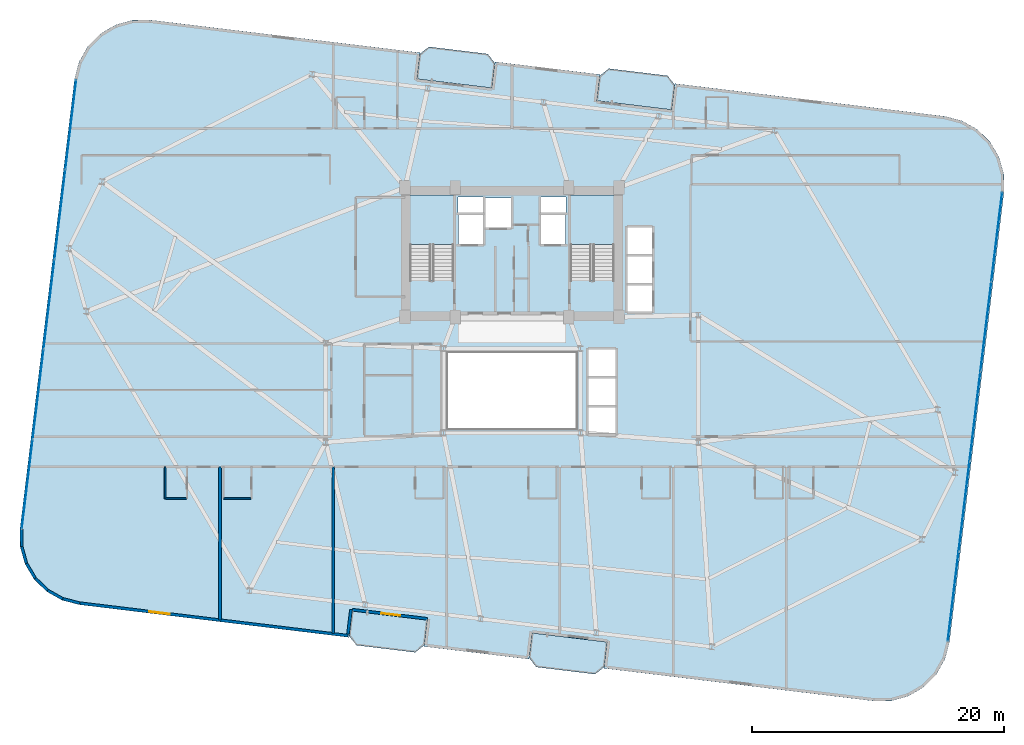
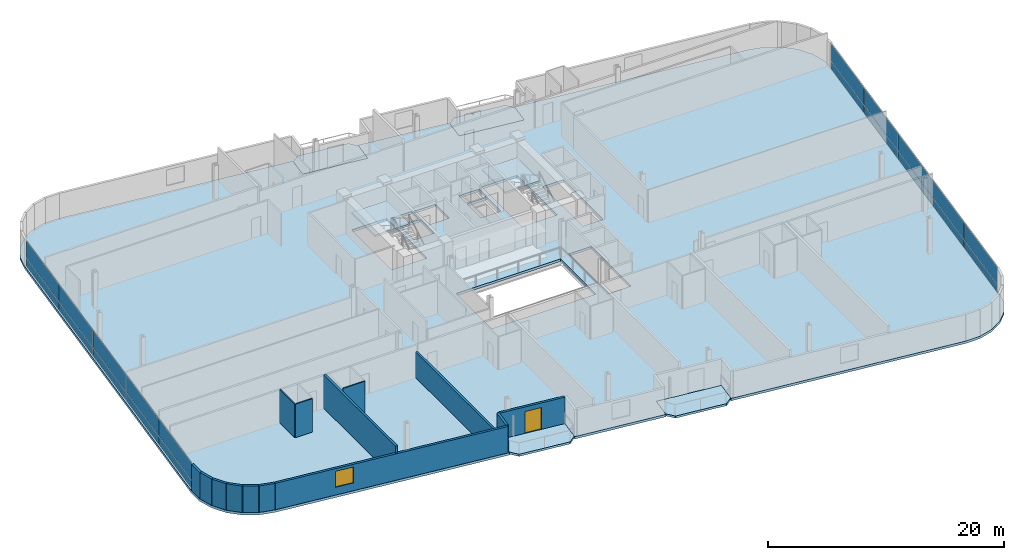
# One storey, part 19 of 26: 20 plates, 14 walls, 7 slabs, 1 door, 1 window, 2 openings, 4 elements without a shape of their own.
"""IFC4 building model written with IfcOpenShell, lengths in metres."""

from ifc_helpers import new_model, si_unit, direction, frame, frame_2d, origin, origin_2d, place, context, subcontext, project, spatial, polyline, rectangle, outline, extrude, source, transform, mapped, material, layer, layer_set, type_object, element, fill, aggregate, save


model = new_model("IFC4")

# Units and contexts
model_context = context("Model", 3, precision=1e-05, world=origin(), true_north=direction((0.0, 1.0)))
body_context = subcontext(model_context, "Body", "Model", "MODEL_VIEW")
ifc_project = project(units=[si_unit("LENGTHUNIT", "METRE"), si_unit("AREAUNIT", "SQUARE_METRE"), si_unit("VOLUMEUNIT", "CUBIC_METRE"), si_unit("PLANEANGLEUNIT", "RADIAN"), si_unit("MASSUNIT", "GRAM", prefix="KILO")], contexts=[model_context])

# Site, building, storey
site_placement = place(None, origin())
site = spatial("IfcSite", under=ifc_project, at=site_placement, CompositionType="ELEMENT")
building_placement = place(site_placement, origin())
building = spatial("IfcBuilding", under=site, at=building_placement, Name="Varnelok Gate Tower", CompositionType="ELEMENT")
storey_placement = place(building_placement, frame((0.0, 0.0, 147.60009765625)))
storey = spatial("IfcBuildingStorey", under=building, at=storey_placement, Name="L37", CompositionType="ELEMENT", Elevation=147.60009765625)

# Slabs
ifc_material_1 = material(Name="Concrete C45/55", Category="concrete")
ifc_layer_1 = layer(ifc_material_1, 0.219970703125)
ifc_layer_set_1 = layer_set([ifc_layer_1], Name="Concrete C45/55")
slab_type_1 = type_object("IfcSlabType", Name="SLB-BALC-220", PredefinedType="FLOOR", material=ifc_layer_set_1)
slab_1_placement = place(storey_placement, frame((0.0, 0.0, -0.22021484375)))
element("IfcSlab", 1, at=slab_1_placement, inside=storey, type_object=slab_type_1, Name="L37 South Hollow Balcony 1", PredefinedType="FLOOR", context=body_context, shape_type="SweptSolid", body=[
    extrude(outline(polyline([(26.27001953125, 3.39697265625), (26.837158203125, 2.67333984375), (31.5029296875, 2.107666015625), (32.2265625, 2.6748046875), (32.46728515625, 4.660400390625), (26.5107421875, 5.38232421875), (26.27001953125, 3.39697265625)])), origin(), (0.0, 0.0, 1.0), 0.22021484375),
])
slab_2_placement = place(storey_placement, frame((0.0, 0.0, -0.22021484375)))
element("IfcSlab", 2, at=slab_2_placement, inside=storey, type_object=slab_type_1, Name="L37 South Hollow Balcony 2", PredefinedType="FLOOR", context=body_context, shape_type="SweptSolid", body=[
    extrude(outline(polyline([(40.5654296875, 1.663818359375), (41.132568359375, 0.9404296875), (45.79833984375, 0.374755859375), (46.521728515625, 0.94189453125), (46.762451171875, 2.92724609375), (40.80615234375, 3.6494140625), (40.5654296875, 1.663818359375)])), origin(), (0.0, 0.0, 1.0), 0.22021484375),
])
slab_3_placement = place(storey_placement, frame((0.0, 0.0, -0.22021484375)))
element("IfcSlab", 3, at=slab_3_placement, inside=storey, type_object=slab_type_1, Name="L37 North Hollow Balcony 1", PredefinedType="FLOOR", context=body_context, shape_type="SweptSolid", body=[
    extrude(outline(polyline([(31.637451171875, 47.672607421875), (37.593994140625, 46.95068359375), (37.834716796875, 48.93603515625), (37.267578125, 49.65966796875), (32.601806640625, 50.22509765625), (31.878173828125, 49.658203125), (31.637451171875, 47.672607421875)])), origin(), (0.0, 0.0, 1.0), 0.22021484375),
])
slab_4_placement = place(storey_placement, frame((0.0, 0.0, -0.22021484375)))
element("IfcSlab", 4, at=slab_4_placement, inside=storey, type_object=slab_type_1, Name="L37 North Hollow Balcony 2", PredefinedType="FLOOR", context=body_context, shape_type="SweptSolid", body=[
    extrude(outline(polyline([(45.932861328125, 45.939697265625), (51.88916015625, 45.2177734375), (52.1298828125, 47.203125), (51.562744140625, 47.926513671875), (46.89697265625, 48.4921875), (46.173583984375, 47.92529296875), (45.932861328125, 45.939697265625)])), origin(), (0.0, 0.0, 1.0), 0.22021484375),
])

# Stair, slab
ifc_material_2 = material(Name="Concrete C50/60", Category="concrete")
stair_type = type_object("IfcStairType", Name="STR-CORE-1650", PredefinedType="HALF_TURN_STAIR", material=ifc_material_2)
stair_1_placement = place(storey_placement, origin())
stair_1 = element("IfcStair", 5, at=stair_1_placement, inside=storey, type_object=stair_type, Name="L37 Exit Stair ST-1", PredefinedType="HALF_TURN_STAIR")
ifc_layer_2 = layer(ifc_material_1, 0.199951171875)
ifc_layer_set_2 = layer_set([ifc_layer_2], Name="Concrete C45/55")
slab_type_2 = type_object("IfcSlabType", Name="SLB-LAND-200", PredefinedType="LANDING", material=ifc_layer_set_2)
slab_5_placement = place(storey_placement, frame((0.0, 0.0, 1.64990234375)))
slab_5 = element("IfcSlab", 6, at=slab_5_placement, type_object=slab_type_2, Name="ST-1 landing 1", PredefinedType="LANDING", context=body_context, shape_type="SweptSolid", body=[
    extrude(outline(polyline([(34.550048828125, 34.5), (34.550048828125, 38.449951171875), (31.10009765625, 38.449951171875), (31.10009765625, 34.5), (34.550048828125, 34.5)])), origin(), (0.0, 0.0, 1.0), 0.199951171875),
])
aggregate(stair_1, [slab_5])

stair_2_placement = place(storey_placement, origin())
stair_2 = element("IfcStair", 7, at=stair_2_placement, inside=storey, type_object=stair_type, Name="L37 Exit Stair ST-2", PredefinedType="HALF_TURN_STAIR")
slab_6_placement = place(storey_placement, frame((0.0, 0.0, 1.64990234375)))
slab_6 = element("IfcSlab", 8, at=slab_6_placement, type_object=slab_type_2, Name="ST-2 landing 1", PredefinedType="LANDING", context=body_context, shape_type="SweptSolid", body=[
    extrude(outline(polyline([(47.300048828125, 34.5), (47.300048828125, 38.449951171875), (43.85009765625, 38.449951171875), (43.85009765625, 34.5), (47.300048828125, 34.5)])), origin(), (0.0, 0.0, 1.0), 0.199951171875),
])
aggregate(stair_2, [slab_6])

# Slab
ifc_layer_3 = layer(ifc_material_2, 0.25)
ifc_layer_set_3 = layer_set([ifc_layer_3], Name="Concrete C50/60")
slab_type_3 = type_object("IfcSlabType", Name="SLB-TYP-250", PredefinedType="FLOOR", material=ifc_layer_set_3)
slab_7_placement = place(storey_placement, frame((0.0, 0.0, -0.25)))
element("IfcSlab", 9, at=slab_7_placement, inside=storey, type_object=slab_type_3, Name="L37 Structural Floor Slab", PredefinedType="FLOOR", context=body_context, shape_type="SweptSolid", body=[
    extrude(outline(polyline([(0.104248046875, 11.90771484375), (0.11865234375, 10.498046875), (0.49755859375, 9.14013671875), (1.214599609375, 7.9267578125), (2.2216796875, 6.940185546875), (3.44970703125, 6.247802734375), (4.81494140625, 5.89697265625), (16.529296875, 4.47705078125), (26.258056640625, 3.297607421875), (26.5107421875, 5.38232421875), (32.46728515625, 4.660400390625), (32.214599609375, 2.575439453125), (40.553466796875, 1.564697265625), (40.80615234375, 3.6494140625), (46.762451171875, 2.92724609375), (46.509765625, 0.842529296875), (56.238525390625, -0.3369140625), (67.952880859375, -1.7568359375), (69.3623046875, -1.742431640625), (70.72021484375, -1.363525390625), (71.933837890625, -0.646240234375), (72.92041015625, 0.360595703125), (73.612548828125, 1.588623046875), (73.96337890625, 2.9541015625), (78.2958984375, 38.6923828125), (78.281494140625, 40.101806640625), (77.902587890625, 41.459716796875), (77.185302734375, 42.67333984375), (76.17822265625, 43.659912109375), (74.9501953125, 44.35205078125), (73.5849609375, 44.702880859375), (61.87060546875, 46.123046875), (52.141845703125, 47.302490234375), (51.88916015625, 45.2177734375), (45.932861328125, 45.939697265625), (46.185546875, 48.0244140625), (37.8466796875, 49.035400390625), (37.593994140625, 46.95068359375), (31.637451171875, 47.672607421875), (31.89013671875, 49.75732421875), (22.161376953125, 50.936767578125), (10.447265625, 52.35693359375), (9.03759765625, 52.34228515625), (7.6796875, 51.963623046875), (6.46630859375, 51.246337890625), (5.479736328125, 50.2392578125), (4.787353515625, 49.01123046875), (4.4365234375, 47.64599609375), (0.104248046875, 11.90771484375)]), holes=[polyline([(34.550048828125, 31.679931640625), (34.550048828125, 38.449951171875), (31.10009765625, 38.449951171875), (31.10009765625, 31.679931640625), (34.550048828125, 31.679931640625)]), polyline([(47.300048828125, 31.679931640625), (47.300048828125, 38.449951171875), (43.85009765625, 38.449951171875), (43.85009765625, 31.679931640625), (47.300048828125, 31.679931640625)]), polyline([(34.949951171875, 34.550048828125), (36.89990234375, 34.550048828125), (36.89990234375, 36.89990234375), (34.949951171875, 36.89990234375), (34.949951171875, 34.550048828125)]), polyline([(41.5, 34.550048828125), (43.449951171875, 34.550048828125), (43.449951171875, 36.89990234375), (41.5, 36.89990234375), (41.5, 34.550048828125)]), polyline([(37.050048828125, 35.85009765625), (39.14990234375, 35.85009765625), (39.14990234375, 38.199951171875), (37.050048828125, 38.199951171875), (37.050048828125, 35.85009765625)]), polyline([(48.35009765625, 29.14990234375), (50.35009765625, 29.14990234375), (50.35009765625, 35.89990234375), (48.35009765625, 35.89990234375), (48.35009765625, 29.14990234375)]), polyline([(45.25, 19.449951171875), (47.449951171875, 19.449951171875), (47.449951171875, 26.199951171875), (45.25, 26.199951171875), (45.25, 19.449951171875)]), polyline([(34.919921875, 37.080078125), (36.89990234375, 37.080078125), (36.89990234375, 38.280029296875), (34.919921875, 38.280029296875), (34.919921875, 37.080078125)]), polyline([(41.5, 37.080078125), (43.47998046875, 37.080078125), (43.47998046875, 38.280029296875), (41.5, 38.280029296875), (41.5, 37.080078125)]), polyline([(34.10009765625, 19.89990234375), (44.300048828125, 19.89990234375), (44.300048828125, 25.89990234375), (34.10009765625, 25.89990234375), (34.10009765625, 19.89990234375)])]), origin(), (0.0, 0.0, 1.0), 0.25),
])

# Curtain wall, plates
ifc_material_3 = material(Name="Anodized Aluminum Alloy 6063-T6", Category="aluminium")
ifc_layer_4 = layer(ifc_material_3, 0.179931640625)
ifc_layer_set_4 = layer_set([ifc_layer_4], Name="Anodized Aluminum Alloy 6063-T6")
curtain_wall_type = type_object("IfcCurtainWallType", Name="CW3-HOTEL-VISION", PredefinedType="USERDEFINED", material=ifc_layer_set_4)
curtain_wall_1_placement = place(storey_placement, origin())
curtain_wall_1 = element("IfcCurtainWall", 10, at=curtain_wall_1_placement, inside=storey, type_object=curtain_wall_type, Name="L37 West End Vision Curtain Wall", ObjectType="UNITISED CURTAIN WALL", PredefinedType="USERDEFINED")
ifc_material_4 = material(Name="Low-E Laminated Double Glazing IGU", Category="glass")
ifc_layer_5 = layer(ifc_material_4, 0.031982421875)
ifc_layer_set_5 = layer_set([ifc_layer_5], Name="Low-E Laminated Double Glazing IGU")
plate_type = type_object("IfcPlateType", Name="CW-PNL-IGU32", PredefinedType="CURTAIN_PANEL", material=ifc_layer_set_5)
shared_shape_1 = source(origin(), body_context, "Body", "SweptSolid", [
    extrude(rectangle(XDim=7.1025390625, YDim=0.031982421875, at=origin_2d()), origin(), (0.0, 0.0, 1.0), 0.802490234375),
])
plate_1_placement = place(storey_placement, frame((0.67822265625, 15.480712890625, 0.06494140625), z_axis=(0.0, 0.0, 1.0), x_axis=(0.120347046212, 0.99273188146, 0.0)))
plate_1 = element("IfcPlate", 11, at=plate_1_placement, type_object=plate_type, Name="CW3 panel 1.1", PredefinedType="CURTAIN_PANEL", context=body_context, shape_type="MappedRepresentation", body=[
    mapped(shared_shape_1, transform((0.0, 0.0, 0.0), scale=1.0)),
])
plate_2_placement = place(storey_placement, frame((4.140380859375, 44.039306640625, 0.06494140625), z_axis=(0.0, 0.0, 1.0), x_axis=(0.120347046212, 0.99273188146, 0.0)))
plate_2 = element("IfcPlate", 12, at=plate_2_placement, type_object=plate_type, Name="CW3 panel 5.1", PredefinedType="CURTAIN_PANEL", context=body_context, shape_type="MappedRepresentation", body=[
    mapped(shared_shape_1, transform((0.0, 0.0, 0.0), scale=1.0)),
])

curtain_wall_2_placement = place(storey_placement, origin())
curtain_wall_2 = element("IfcCurtainWall", 13, at=curtain_wall_2_placement, inside=storey, type_object=curtain_wall_type, Name="L37 East End Vision Curtain Wall", ObjectType="UNITISED CURTAIN WALL", PredefinedType="USERDEFINED")
plate_3_placement = place(storey_placement, frame((77.7216796875, 35.119140625, 0.06494140625), z_axis=(0.0, 0.0, 1.0), x_axis=(-0.120347046212, -0.99273188146, 0.0)))
plate_3 = element("IfcPlate", 14, at=plate_3_placement, type_object=plate_type, Name="CW3 panel 1.1", PredefinedType="CURTAIN_PANEL", context=body_context, shape_type="MappedRepresentation", body=[
    mapped(shared_shape_1, transform((0.0, 0.0, 0.0), scale=1.0)),
])
plate_4_placement = place(storey_placement, frame((74.259521484375, 6.560791015625, 0.06494140625), z_axis=(0.0, 0.0, 1.0), x_axis=(-0.120347046212, -0.99273188146, 0.0)))
plate_4 = element("IfcPlate", 15, at=plate_4_placement, type_object=plate_type, Name="CW3 panel 5.1", PredefinedType="CURTAIN_PANEL", context=body_context, shape_type="MappedRepresentation", body=[
    mapped(shared_shape_1, transform((0.0, 0.0, 0.0), scale=1.0)),
])

# Plate
shared_shape_2 = source(origin(), body_context, "Body", "SweptSolid", [
    extrude(rectangle(XDim=7.1025390625, YDim=0.031982421875, at=origin_2d()), origin(), (0.0, 0.0, 1.0), 1.732421875),
])
plate_5_placement = place(storey_placement, frame((0.67822265625, 15.480712890625, 0.932373046875), z_axis=(0.0, 0.0, 1.0), x_axis=(0.120347046212, 0.99273188146, 0.0)))
plate_5 = element("IfcPlate", 16, at=plate_5_placement, type_object=plate_type, Name="CW3 panel 1.2", PredefinedType="CURTAIN_PANEL", context=body_context, shape_type="MappedRepresentation", body=[
    mapped(shared_shape_2, transform((0.0, 0.0, 0.0), scale=1.0)),
])

plate_6_placement = place(storey_placement, frame((4.140380859375, 44.039306640625, 0.932373046875), z_axis=(0.0, 0.0, 1.0), x_axis=(0.120347046212, 0.99273188146, 0.0)))
plate_6 = element("IfcPlate", 17, at=plate_6_placement, type_object=plate_type, Name="CW3 panel 5.2", PredefinedType="CURTAIN_PANEL", context=body_context, shape_type="MappedRepresentation", body=[
    mapped(shared_shape_2, transform((0.0, 0.0, 0.0), scale=1.0)),
])

plate_7_placement = place(storey_placement, frame((77.7216796875, 35.119140625, 0.932373046875), z_axis=(0.0, 0.0, 1.0), x_axis=(-0.120347046212, -0.99273188146, 0.0)))
plate_7 = element("IfcPlate", 18, at=plate_7_placement, type_object=plate_type, Name="CW3 panel 1.2", PredefinedType="CURTAIN_PANEL", context=body_context, shape_type="MappedRepresentation", body=[
    mapped(shared_shape_2, transform((0.0, 0.0, 0.0), scale=1.0)),
])

plate_8_placement = place(storey_placement, frame((74.259521484375, 6.560791015625, 0.932373046875), z_axis=(0.0, 0.0, 1.0), x_axis=(-0.120347046212, -0.99273188146, 0.0)))
plate_8 = element("IfcPlate", 19, at=plate_8_placement, type_object=plate_type, Name="CW3 panel 5.2", PredefinedType="CURTAIN_PANEL", context=body_context, shape_type="MappedRepresentation", body=[
    mapped(shared_shape_2, transform((0.0, 0.0, 0.0), scale=1.0)),
])

shared_shape_3 = source(origin(), body_context, "Body", "SweptSolid", [
    extrude(rectangle(XDim=7.135009765625, YDim=0.031982421875, at=origin_2d()), origin(), (0.0, 0.0, 1.0), 0.802490234375),
])
plate_9_placement = place(storey_placement, frame((1.54296875, 22.6123046875, 0.06494140625), z_axis=(0.0, 0.0, 1.0), x_axis=(0.120347046212, 0.99273188146, 0.0)))
plate_9 = element("IfcPlate", 20, at=plate_9_placement, type_object=plate_type, Name="CW3 panel 2.1", PredefinedType="CURTAIN_PANEL", context=body_context, shape_type="MappedRepresentation", body=[
    mapped(shared_shape_3, transform((0.0, 0.0, 0.0), scale=1.0)),
])

plate_10_placement = place(storey_placement, frame((2.409423828125, 29.760009765625, 0.06494140625), z_axis=(0.0, 0.0, 1.0), x_axis=(0.120347046212, 0.99273188146, 0.0)))
plate_10 = element("IfcPlate", 21, at=plate_10_placement, type_object=plate_type, Name="CW3 panel 3.1", PredefinedType="CURTAIN_PANEL", context=body_context, shape_type="MappedRepresentation", body=[
    mapped(shared_shape_3, transform((0.0, 0.0, 0.0), scale=1.0)),
])

plate_11_placement = place(storey_placement, frame((3.27587890625, 36.90771484375, 0.06494140625), z_axis=(0.0, 0.0, 1.0), x_axis=(0.120347046212, 0.99273188146, 0.0)))
plate_11 = element("IfcPlate", 22, at=plate_11_placement, type_object=plate_type, Name="CW3 panel 4.1", PredefinedType="CURTAIN_PANEL", context=body_context, shape_type="MappedRepresentation", body=[
    mapped(shared_shape_3, transform((0.0, 0.0, 0.0), scale=1.0)),
])

plate_12_placement = place(storey_placement, frame((76.857177734375, 27.98779296875, 0.06494140625), z_axis=(0.0, 0.0, 1.0), x_axis=(-0.120347046212, -0.99273188146, 0.0)))
plate_12 = element("IfcPlate", 23, at=plate_12_placement, type_object=plate_type, Name="CW3 panel 2.1", PredefinedType="CURTAIN_PANEL", context=body_context, shape_type="MappedRepresentation", body=[
    mapped(shared_shape_3, transform((0.0, 0.0, 0.0), scale=1.0)),
])

plate_13_placement = place(storey_placement, frame((75.99072265625, 20.840087890625, 0.06494140625), z_axis=(0.0, 0.0, 1.0), x_axis=(-0.120347046212, -0.99273188146, 0.0)))
plate_13 = element("IfcPlate", 24, at=plate_13_placement, type_object=plate_type, Name="CW3 panel 3.1", PredefinedType="CURTAIN_PANEL", context=body_context, shape_type="MappedRepresentation", body=[
    mapped(shared_shape_3, transform((0.0, 0.0, 0.0), scale=1.0)),
])

plate_14_placement = place(storey_placement, frame((75.124267578125, 13.6923828125, 0.06494140625), z_axis=(0.0, 0.0, 1.0), x_axis=(-0.120347046212, -0.99273188146, 0.0)))
plate_14 = element("IfcPlate", 25, at=plate_14_placement, type_object=plate_type, Name="CW3 panel 4.1", PredefinedType="CURTAIN_PANEL", context=body_context, shape_type="MappedRepresentation", body=[
    mapped(shared_shape_3, transform((0.0, 0.0, 0.0), scale=1.0)),
])

shared_shape_4 = source(origin(), body_context, "Body", "SweptSolid", [
    extrude(rectangle(XDim=7.135009765625, YDim=0.031982421875, at=origin_2d()), origin(), (0.0, 0.0, 1.0), 1.732421875),
])
plate_15_placement = place(storey_placement, frame((1.54296875, 22.6123046875, 0.932373046875), z_axis=(0.0, 0.0, 1.0), x_axis=(0.120347046212, 0.99273188146, 0.0)))
plate_15 = element("IfcPlate", 26, at=plate_15_placement, type_object=plate_type, Name="CW3 panel 2.2", PredefinedType="CURTAIN_PANEL", context=body_context, shape_type="MappedRepresentation", body=[
    mapped(shared_shape_4, transform((0.0, 0.0, 0.0), scale=1.0)),
])

plate_16_placement = place(storey_placement, frame((2.409423828125, 29.760009765625, 0.932373046875), z_axis=(0.0, 0.0, 1.0), x_axis=(0.120347046212, 0.99273188146, 0.0)))
plate_16 = element("IfcPlate", 27, at=plate_16_placement, type_object=plate_type, Name="CW3 panel 3.2", PredefinedType="CURTAIN_PANEL", context=body_context, shape_type="MappedRepresentation", body=[
    mapped(shared_shape_4, transform((0.0, 0.0, 0.0), scale=1.0)),
])

plate_17_placement = place(storey_placement, frame((3.27587890625, 36.90771484375, 0.932373046875), z_axis=(0.0, 0.0, 1.0), x_axis=(0.120347046212, 0.99273188146, 0.0)))
plate_17 = element("IfcPlate", 28, at=plate_17_placement, type_object=plate_type, Name="CW3 panel 4.2", PredefinedType="CURTAIN_PANEL", context=body_context, shape_type="MappedRepresentation", body=[
    mapped(shared_shape_4, transform((0.0, 0.0, 0.0), scale=1.0)),
])

aggregate(curtain_wall_1, [plate_1, plate_5, plate_9, plate_15, plate_10, plate_16, plate_11, plate_17, plate_2, plate_6])

plate_18_placement = place(storey_placement, frame((76.857177734375, 27.98779296875, 0.932373046875), z_axis=(0.0, 0.0, 1.0), x_axis=(-0.120347046212, -0.99273188146, 0.0)))
plate_18 = element("IfcPlate", 29, at=plate_18_placement, type_object=plate_type, Name="CW3 panel 2.2", PredefinedType="CURTAIN_PANEL", context=body_context, shape_type="MappedRepresentation", body=[
    mapped(shared_shape_4, transform((0.0, 0.0, 0.0), scale=1.0)),
])

plate_19_placement = place(storey_placement, frame((75.99072265625, 20.840087890625, 0.932373046875), z_axis=(0.0, 0.0, 1.0), x_axis=(-0.120347046212, -0.99273188146, 0.0)))
plate_19 = element("IfcPlate", 30, at=plate_19_placement, type_object=plate_type, Name="CW3 panel 3.2", PredefinedType="CURTAIN_PANEL", context=body_context, shape_type="MappedRepresentation", body=[
    mapped(shared_shape_4, transform((0.0, 0.0, 0.0), scale=1.0)),
])

plate_20_placement = place(storey_placement, frame((75.124267578125, 13.6923828125, 0.932373046875), z_axis=(0.0, 0.0, 1.0), x_axis=(-0.120347046212, -0.99273188146, 0.0)))
plate_20 = element("IfcPlate", 31, at=plate_20_placement, type_object=plate_type, Name="CW3 panel 4.2", PredefinedType="CURTAIN_PANEL", context=body_context, shape_type="MappedRepresentation", body=[
    mapped(shared_shape_4, transform((0.0, 0.0, 0.0), scale=1.0)),
])

aggregate(curtain_wall_2, [plate_3, plate_7, plate_12, plate_18, plate_13, plate_19, plate_14, plate_20, plate_4, plate_8])

# Wall, opening, door
ifc_layer_6 = layer(ifc_material_1, 0.219970703125)
ifc_layer_set_6 = layer_set([ifc_layer_6], Name="Concrete C45/55")
wall_type_1 = type_object("IfcWallType", Name="EW-BALC-220", PredefinedType="SOLIDWALL", material=ifc_layer_set_6)
wall_1_placement = place(storey_placement, frame((32.48046875, 4.76953125, 0.0), z_axis=(0.0, 0.0, 1.0), x_axis=(-0.992735402148, 0.120318000826, 0.0)))
wall_1 = element("IfcWall", 32, at=wall_1_placement, inside=storey, type_object=wall_type_1, Name="L37 South Terrace Envelope Wall 1", PredefinedType="SOLIDWALL", context=body_context, shape_type="SweptSolid", body=[
    extrude(rectangle(XDim=6.000244140625, YDim=0.219970703125, at=frame_2d((3.0, 0.0))), origin(), (0.0, 0.0, 1.0), 2.72998046875),
])
opening_1_placement = place(wall_1_placement, frame((2.176025390625, 0.0, 0.0)))
opening_1 = element("IfcOpeningElement", 33, at=opening_1_placement, cuts=wall_1, Name="Opening BD-1", PredefinedType="OPENING", context=body_context, shape_type="SweptSolid", body=[
    extrude(rectangle(XDim=1.5, YDim=2.25, at=frame_2d((0.75, 1.125))), frame((0.0, 0.119873046875, 0.0), z_axis=(0.0, -1.0, 0.0), x_axis=(1.0, 0.0, 0.0)), (0.0, 0.0, 1.0), 0.239990234375),
])
door_type = type_object("IfcDoorType", Name="DR-EXT-BALC1500", OperationType="NOTDEFINED", PredefinedType="DOOR", material=ifc_material_3)
door_placement = place(opening_1_placement, origin())
door = element("IfcDoor", 34, at=door_placement, inside=storey, type_object=door_type, Name="L37 South Balcony Glazed Door 1", OperationType="SINGLE_SWING_RIGHT", OverallHeight=2.25, OverallWidth=1.5, PredefinedType="DOOR", context=body_context, shape_type="SweptSolid", body=[
    extrude(rectangle(XDim=1.5, YDim=2.25, at=frame_2d((0.75, 1.125))), frame((0.0, 0.02490234375, 0.0), z_axis=(0.0, -1.0, 0.0), x_axis=(1.0, 0.0, 0.0)), (0.0, 0.0, 1.0), 0.050048828125),
])
fill(opening_1, door)

# Walls
wall_2_placement = place(storey_placement, frame((0.224365234375, 11.89306640625, 0.0), z_axis=(0.0, 0.0, 1.0), x_axis=(0.010098705419, -0.999949006774, 0.0)))
element("IfcWall", 35, at=wall_2_placement, inside=storey, type_object=wall_type_1, Name="L37 Perimeter Facade Closure Wall 1", PredefinedType="SOLIDWALL", context=body_context, shape_type="SweptSolid", body=[
    extrude(rectangle(XDim=1.3779296875, YDim=0.219970703125, at=frame_2d((0.68896484375, 0.0))), origin(), (0.0, 0.0, 1.0), 2.72998046875),
])
wall_3_placement = place(storey_placement, frame((0.2451171875, 10.490966796875, 0.0), z_axis=(0.0, 0.0, 1.0), x_axis=(0.268853470153, -0.963181089716, 0.0)))
element("IfcWall", 36, at=wall_3_placement, inside=storey, type_object=wall_type_1, Name="L37 Perimeter Facade Closure Wall 2", PredefinedType="SOLIDWALL", context=body_context, shape_type="SweptSolid", body=[
    extrude(rectangle(XDim=1.35302734375, YDim=0.219970703125, at=frame_2d((0.676513671875, 0.0))), origin(), (0.0, 0.0, 1.0), 2.72998046875),
])
wall_4_placement = place(storey_placement, frame((0.62158203125, 9.166015625, 0.0), z_axis=(0.0, 0.0, 1.0), x_axis=(0.508911700393, -0.860818727261, 0.0)))
element("IfcWall", 37, at=wall_4_placement, inside=storey, type_object=wall_type_1, Name="L37 Perimeter Facade Closure Wall 3", PredefinedType="SOLIDWALL", context=body_context, shape_type="SweptSolid", body=[
    extrude(rectangle(XDim=1.352783203125, YDim=0.219970703125, at=frame_2d((0.67626953125, 0.0))), origin(), (0.0, 0.0, 1.0), 2.72998046875),
])
wall_5_placement = place(storey_placement, frame((1.327880859375, 7.98388671875, 0.0), z_axis=(0.0, 0.0, 1.0), x_axis=(0.714376989847, -0.69976104234, 0.0)))
element("IfcWall", 38, at=wall_5_placement, inside=storey, type_object=wall_type_1, Name="L37 Perimeter Facade Closure Wall 4", PredefinedType="SOLIDWALL", context=body_context, shape_type="SweptSolid", body=[
    extrude(rectangle(XDim=1.35302734375, YDim=0.219970703125, at=frame_2d((0.676513671875, 0.0))), origin(), (0.0, 0.0, 1.0), 2.72998046875),
])
wall_6_placement = place(storey_placement, frame((2.316162109375, 7.024658203125, 0.0), z_axis=(0.0, 0.0, 1.0), x_axis=(0.87113677592, -0.491040443996, 0.0)))
element("IfcWall", 39, at=wall_6_placement, inside=storey, type_object=wall_type_1, Name="L37 Perimeter Facade Closure Wall 5", PredefinedType="SOLIDWALL", context=body_context, shape_type="SweptSolid", body=[
    extrude(rectangle(XDim=1.353271484375, YDim=0.219970703125, at=frame_2d((0.6767578125, 0.0))), origin(), (0.0, 0.0, 1.0), 2.72998046875),
])
wall_7_placement = place(storey_placement, frame((3.519287109375, 6.35400390625, 0.0), z_axis=(0.0, 0.0, 1.0), x_axis=(0.968506529347, -0.248988157573, 0.0)))
element("IfcWall", 40, at=wall_7_placement, inside=storey, type_object=wall_type_1, Name="L37 Perimeter Facade Closure Wall 6", PredefinedType="SOLIDWALL", context=body_context, shape_type="SweptSolid", body=[
    extrude(rectangle(XDim=1.361083984375, YDim=0.219970703125, at=frame_2d((0.6806640625, 0.0))), origin(), (0.0, 0.0, 1.0), 2.72998046875),
])

# Wall, opening, window
wall_8_placement = place(storey_placement, frame((4.862060546875, 6.01220703125, 0.0), z_axis=(0.0, 0.0, 1.0), x_axis=(0.99273213367, -0.120344965739, 0.0)))
wall_8 = element("IfcWall", 41, at=wall_8_placement, inside=storey, type_object=wall_type_1, Name="L37 Perimeter Facade Closure Wall 7", PredefinedType="SOLIDWALL", context=body_context, shape_type="SweptSolid", body=[
    extrude(rectangle(XDim=21.447021484375, YDim=0.219970703125, at=frame_2d((10.7236328125, 0.0))), origin(), (0.0, 0.0, 1.0), 2.72998046875),
])
opening_2_placement = place(wall_8_placement, frame((5.543212890625, 0.0, 0.800048828125)))
opening_2 = element("IfcOpeningElement", 42, at=opening_2_placement, cuts=wall_8, Name="Opening WN3", PredefinedType="OPENING", context=body_context, shape_type="SweptSolid", body=[
    extrude(rectangle(XDim=1.64990234375, YDim=1.64990234375, at=frame_2d((0.824951171875, 0.824951171875))), frame((0.0, 0.119873046875, 0.0), z_axis=(0.0, -1.0, 0.0), x_axis=(1.0, 0.0, 0.0)), (0.0, 0.0, 1.0), 0.239990234375),
])
window_type = type_object("IfcWindowType", Name="WN-HTL-1650", PartitioningType="SINGLE_PANEL", PredefinedType="WINDOW", material=ifc_material_4)
window_placement = place(opening_2_placement, origin())
window = element("IfcWindow", 43, at=window_placement, inside=storey, type_object=window_type, Name="L37 Perimeter Vision Window 7", OverallHeight=1.64990234375, OverallWidth=1.64990234375, PartitioningType="SINGLE_PANEL", PredefinedType="WINDOW", context=body_context, shape_type="SweptSolid", body=[
    extrude(rectangle(XDim=1.64990234375, YDim=1.64990234375, at=frame_2d((0.824951171875, 0.824951171875))), frame((0.0, 0.030029296875, 0.0), z_axis=(0.0, -1.0, 0.0), x_axis=(1.0, 0.0, 0.0)), (0.0, 0.0, 1.0), 0.06005859375),
])
fill(opening_2, window)

# Walls
wall_9_placement = place(storey_placement, frame((26.16845703125, 3.555419921875, 0.0), z_axis=(0.0, 0.0, 1.0), x_axis=(0.120290754542, 0.992738703976, 0.0)))
element("IfcWall", 44, at=wall_9_placement, inside=storey, type_object=wall_type_1, Name="L37 Perimeter Facade Closure Wall 8", PredefinedType="SOLIDWALL", context=body_context, shape_type="SweptSolid", body=[
    extrude(rectangle(XDim=1.974853515625, YDim=0.219970703125, at=frame_2d((0.9873046875, 0.0))), origin(), (0.0, 0.0, 1.0), 2.72998046875),
])
ifc_material_5 = material(Name="Gypsum Plasterboard Acoustic Partition", Category="gypsum")
ifc_layer_7 = layer(ifc_material_5, 0.114990234375)
ifc_layer_set_7 = layer_set([ifc_layer_7], Name="Gypsum Plasterboard Acoustic Partition")
wall_type_2 = type_object("IfcWallType", Name="PW-ENS-125", PredefinedType="PARTITIONING", material=ifc_layer_set_7)
wall_10_placement = place(storey_placement, frame((11.679931640625, 14.330078125, 0.0), z_axis=(0.0, 0.0, 1.0), x_axis=(1.0, 0.0, 0.0)))
element("IfcWall", 45, at=wall_10_placement, inside=storey, type_object=wall_type_2, Name="Interior Partition", PredefinedType="PARTITIONING", context=body_context, shape_type="SweptSolid", body=[
    extrude(rectangle(XDim=1.650146484375, YDim=0.114990234375, at=frame_2d((0.8251953125, 0.0))), origin(), (0.0, 0.0, 1.0), 3.449951171875),
])
wall_11_placement = place(storey_placement, frame((11.639892578125, 14.330078125, 0.0), z_axis=(0.0, 0.0, 1.0), x_axis=(0.0, 1.0, 0.0)))
element("IfcWall", 46, at=wall_11_placement, inside=storey, type_object=wall_type_2, Name="Interior Partition", PredefinedType="PARTITIONING", context=body_context, shape_type="SweptSolid", body=[
    extrude(rectangle(XDim=2.52001953125, YDim=0.114990234375, at=frame_2d((1.260009765625, 0.0))), origin(), (0.0, 0.0, 1.0), 3.449951171875),
])
wall_12_placement = place(storey_placement, frame((16.300048828125, 14.330078125, 0.0), z_axis=(0.0, 0.0, 1.0), x_axis=(1.0, 0.0, 0.0)))
element("IfcWall", 47, at=wall_12_placement, inside=storey, type_object=wall_type_2, Name="Interior Partition", PredefinedType="PARTITIONING", context=body_context, shape_type="SweptSolid", body=[
    extrude(rectangle(XDim=2.14990234375, YDim=0.114990234375, at=frame_2d((1.074951171875, 0.0))), origin(), (0.0, 0.0, 1.0), 3.449951171875),
])
ifc_layer_8 = layer(ifc_material_5, 0.205078125)
ifc_layer_set_8 = layer_set([ifc_layer_8], Name="Gypsum Plasterboard Acoustic Partition")
wall_type_3 = type_object("IfcWallType", Name="PW-PARTY-200", PredefinedType="PARTITIONING", material=ifc_layer_set_8)
wall_13_placement = place(storey_placement, frame((16.0, 4.68212890625, 0.0), z_axis=(0.0, 0.0, 1.0), x_axis=(0.0, 1.0, 0.0)))
element("IfcWall", 48, at=wall_13_placement, inside=storey, type_object=wall_type_3, Name="L37 South Party Wall 1", PredefinedType="PARTITIONING", context=body_context, shape_type="SweptSolid", body=[
    extrude(rectangle(XDim=12.16796875, YDim=0.205078125, at=frame_2d((6.083984375, 0.0))), origin(), (0.0, 0.0, 1.0), 3.449951171875),
])
wall_14_placement = place(storey_placement, frame((25.0, 3.591064453125, 0.0), z_axis=(0.0, 0.0, 1.0), x_axis=(0.0, 1.0, 0.0)))
element("IfcWall", 49, at=wall_14_placement, inside=storey, type_object=wall_type_3, Name="L37 South Party Wall 2", PredefinedType="PARTITIONING", context=body_context, shape_type="SweptSolid", body=[
    extrude(rectangle(XDim=13.259033203125, YDim=0.205078125, at=frame_2d((6.62939453125, 0.0))), origin(), (0.0, 0.0, 1.0), 2.661865234375),
])

save(model, "model.ifc")
